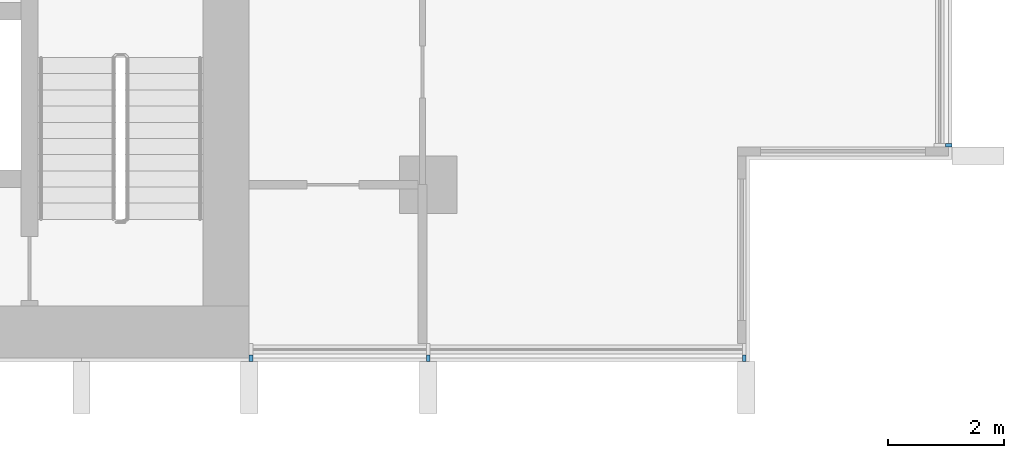
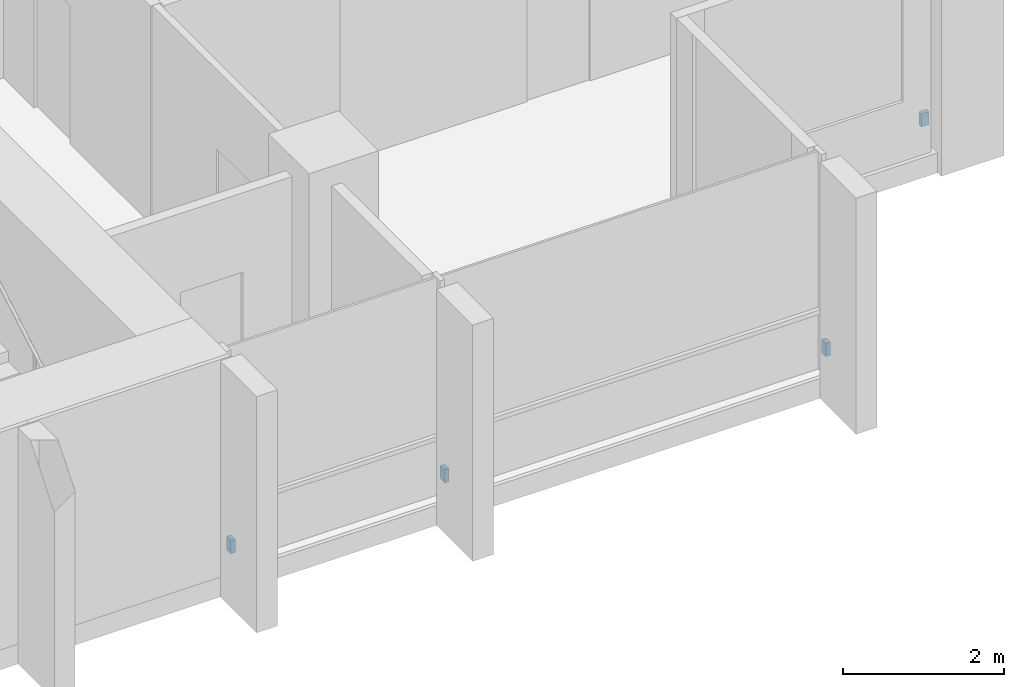
# One storey, part 14 of 17: 4 discrete accessories.
"""IFC4 building model written with IfcOpenShell, lengths in metres."""

from ifc_helpers import new_model, si_unit, direction, frame, origin, origin_2d, place, context, subcontext, project, spatial, rectangle, extrude, material, type_object, element, save


model = new_model("IFC4")

# Units and contexts
model_context = context("Model", 3, precision=1e-05, world=origin(), true_north=direction((0.0, 1.0)))
body_context = subcontext(model_context, "Body", "Model", "MODEL_VIEW")
ifc_project = project(units=[si_unit("LENGTHUNIT", "METRE"), si_unit("AREAUNIT", "SQUARE_METRE"), si_unit("VOLUMEUNIT", "CUBIC_METRE"), si_unit("PLANEANGLEUNIT", "RADIAN"), si_unit("MASSUNIT", "GRAM", prefix="KILO")], contexts=[model_context])

# Site, building, storey
site_placement = place(None, origin())
site = spatial("IfcSite", under=ifc_project, at=site_placement, CompositionType="ELEMENT")
building_placement = place(site_placement, origin())
building = spatial("IfcBuilding", under=site, at=building_placement, Name="Finial Court Residences", CompositionType="ELEMENT")
storey_placement = place(building_placement, frame((0.0, 0.0, 95.5)))
storey = spatial("IfcBuildingStorey", under=building, at=storey_placement, Name="L23", CompositionType="ELEMENT", Elevation=95.5)

# Discrete accessories
ifc_material = material(Name="Stainless steel 316", Category="steel")
discrete_accessory_type = type_object("IfcDiscreteAccessoryType", Name="Fin bracket, stainless steel 65 x 110 x 200", PredefinedType="BRACKET", material=ifc_material)
discrete_accessory_placement = place(storey_placement, frame((25.5048828125, -21.8173828125, 0.2998046875), z_axis=(0.0, 0.0, 1.0), x_axis=(1.0, 0.0, 0.0)))
element("IfcDiscreteAccessory", 1, at=discrete_accessory_placement, inside=storey, type_object=discrete_accessory_type, Name="E-L23-FIN-E9-BRK", PredefinedType="BRACKET", context=body_context, shape_type="SweptSolid", body=[
    extrude(rectangle(XDim=0.110107421875, YDim=0.06494140625, at=origin_2d()), origin(), (0.0, 0.0, 1.0), 0.199951171875),
])
for number, where, z_axis, x_axis, name in (
    (2, (13.4326171875, -25.5048828125, 0.2998046875), (0.0, 0.0, 1.0), (1.0, 0.0, 0.0), "E-L23-FIN-S23-BRK"),
    (3, (16.5, -25.5048828125, 0.2998046875), (0.0, 0.0, 1.0), (1.0, 0.0, 0.0), "E-L23-FIN-S24-BRK"),
    (4, (21.967529296875, -25.5048828125, 0.2998046875), (0.0, 0.0, 1.0), (1.0, 0.0, 0.0), "E-L23-FIN-S25-BRK"),
):
    element("IfcDiscreteAccessory", number, at=place(storey_placement, frame(where, z_axis=z_axis, x_axis=x_axis)), inside=storey, type_object=discrete_accessory_type, Name=name, PredefinedType="BRACKET", context=body_context, shape_type="SweptSolid", body=[
        extrude(rectangle(XDim=0.06494140625, YDim=0.110107421875, at=origin_2d()), origin(), (0.0, 0.0, 1.0), 0.199951171875),
    ])

save(model, "model.ifc")
